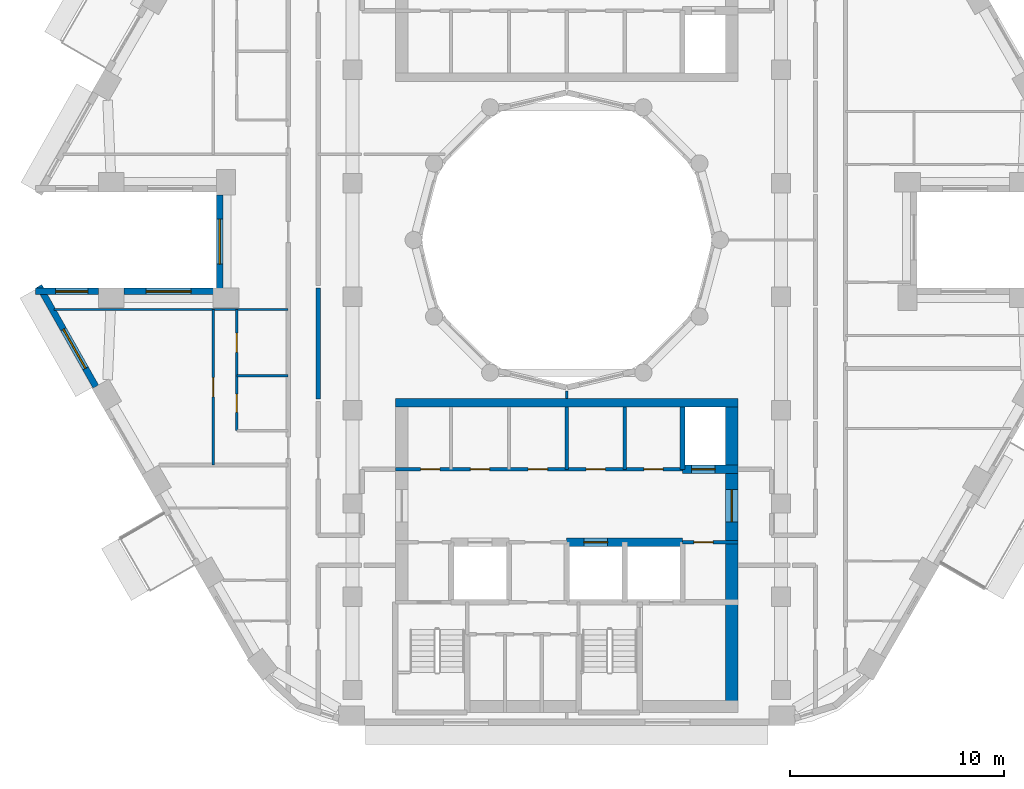
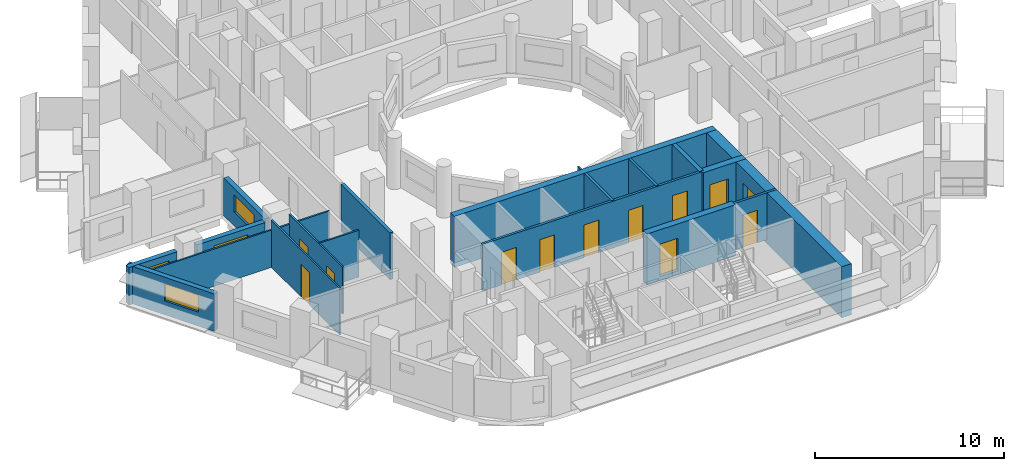
# One storey, part 4 of 17: 19 walls, 12 doors, 4 windows, 16 openings.
"""IFC4 building model written with IfcOpenShell, lengths in metres."""

import ifcopenshell
import ifcopenshell.guid

model = None  # the IFC model being written
_history = None  # IfcOwnerHistory: only IFC2X3 demands one
_inside = {}  # id of a spatial element -> (the spatial element, [elements in it])
_under = {}  # id of a project, library or spatial element -> (it, [spatial elements below it])
_declared = {}  # id of a project -> (the project, [libraries it declares])
_typed = {}  # id of a type object -> (the type object, [elements of that type])
_made_of = {}  # id of a material, layer set ... -> (it, [elements and type objects made of it])


def new_model(schema):
    """Start an empty IFC model of exactly this schema.

    Asked for "IFC4X3", IfcOpenShell would pick the latest addendum, in which some entities
    have other attributes; the version numbers below select the first issue.
    IFC2X3 requires an IfcOwnerHistory on every rooted entity: one is made here for all.
    """
    global model, _history
    if schema == "IFC4X3":
        model = ifcopenshell.file(schema_version=(4, 3, 0, 0))
    else:
        model = ifcopenshell.file(schema=schema)
    _inside.clear()
    _under.clear()
    _declared.clear()
    _typed.clear()
    _made_of.clear()
    _history = None
    if model.schema == "IFC2X3":
        org = make("IfcOrganization", Name="unknown")
        user = make(
            "IfcPersonAndOrganization",
            ThePerson=make("IfcPerson", FamilyName="unknown"),
            TheOrganization=org,
        )
        app = make(
            "IfcApplication",
            ApplicationDeveloper=org,
            Version="unknown",
            ApplicationFullName="unknown",
            ApplicationIdentifier="unknown",
        )
        _history = make(
            "IfcOwnerHistory",
            OwningUser=user,
            OwningApplication=app,
            ChangeAction="ADDED",
            CreationDate=0,
        )
    return model


def make(cls, **values):
    """One entity of the class cls with the attributes given. An attribute that is None is left unset."""
    return model.create_entity(
        cls, **{name: value for name, value in values.items() if value is not None}
    )


def rooted(cls, **values):
    """An entity with a GlobalId (a new one), such as an element, a storey or a relation."""
    return make(cls, GlobalId=ifcopenshell.guid.new(), OwnerHistory=_history, **values)


def si_unit(unit_type, name, prefix=None):
    """IfcSIUnit, for example si_unit("LENGTHUNIT", "METRE", prefix="MILLI")."""
    return make("IfcSIUnit", UnitType=unit_type, Prefix=prefix, Name=name)


def assignment(units):
    """IfcUnitAssignment: the units of a project."""
    return None if units is None else make("IfcUnitAssignment", Units=units)


def point(xyz):
    """IfcCartesianPoint."""
    return None if xyz is None else make("IfcCartesianPoint", Coordinates=xyz)


def direction(xyz):
    """IfcDirection."""
    return None if xyz is None else make("IfcDirection", DirectionRatios=xyz)


def frame(location, z_axis=None, x_axis=None):
    """IfcAxis2Placement3D, a coordinate frame: its origin and axes. An axis left out is left unset."""
    return make(
        "IfcAxis2Placement3D",
        Location=point(location),
        Axis=direction(z_axis),
        RefDirection=direction(x_axis),
    )


def frame_2d(location, x_axis=None):
    """IfcAxis2Placement2D, a coordinate frame in the plane: its origin and x axis."""
    return make(
        "IfcAxis2Placement2D", Location=point(location), RefDirection=direction(x_axis)
    )


def origin():
    """The frame at (0, 0, 0) with its axes left unset."""
    return frame((0.0, 0.0, 0.0))


def place(relative_to, where):
    """IfcLocalPlacement: puts the frame where relative to a parent placement (None: the world)."""
    return make(
        "IfcLocalPlacement", PlacementRelTo=relative_to, RelativePlacement=where
    )


def context(
    kind, dimensions, precision=None, world=None, true_north=None, identifier=None
):
    """IfcGeometricRepresentationContext, for example the 3D "Model" context."""
    return make(
        "IfcGeometricRepresentationContext",
        ContextIdentifier=identifier,
        ContextType=kind,
        CoordinateSpaceDimension=dimensions,
        Precision=precision,
        WorldCoordinateSystem=world,
        TrueNorth=true_north,
    )


def subcontext(parent, identifier, kind, view, scale=None):
    """IfcGeometricRepresentationSubContext, for example "Body" below "Model"."""
    return make(
        "IfcGeometricRepresentationSubContext",
        ContextIdentifier=identifier,
        ContextType=kind,
        ParentContext=parent,
        TargetScale=scale,
        TargetView=view,
    )


def project(units=None, contexts=None):
    """IfcProject with its units and contexts."""
    return rooted(
        "IfcProject",
        Name="project",
        RepresentationContexts=contexts,
        UnitsInContext=assignment(units),
    )


def spatial(cls, under=None, at=None, **own):
    """A site, building, storey or space (cls), placed at a placement, below another one or the project."""
    s = rooted(cls, ObjectPlacement=at, **own)
    if under is not None:
        _under.setdefault(under.id(), (under, []))[1].append(s)
    return s


def profile(cls, at=None, kind="AREA", **sizes):
    """A parametric profile (cls). Its sizes go by their IFC names, for example OverallWidth=200.0."""
    return make(cls, ProfileType=kind, Position=at, **sizes)


def rectangle(**sizes):
    """IfcRectangleProfileDef."""
    return profile("IfcRectangleProfileDef", **sizes)


def extrude(swept, where, along, depth):
    """IfcExtrudedAreaSolid: the profile swept, set in the frame where, extruded along a direction by depth."""
    return make(
        "IfcExtrudedAreaSolid",
        SweptArea=swept,
        Position=where,
        ExtrudedDirection=direction(along),
        Depth=depth,
    )


def shape(context_of_items, identifier, shape_type, items):
    """IfcShapeRepresentation: the items that make up one representation, for example the "Body"."""
    return make(
        "IfcShapeRepresentation",
        ContextOfItems=context_of_items,
        RepresentationIdentifier=identifier,
        RepresentationType=shape_type,
        Items=items,
    )


def material(Name=None, Category=None):
    """IfcMaterial."""
    return make("IfcMaterial", Name=Name, Category=Category)


def layer(
    of_material, thickness, ventilated=None, Name=None, Category=None, Priority=None
):
    """IfcMaterialLayer: one layer of a wall or slab, of a material (None: an air gap)."""
    return make(
        "IfcMaterialLayer",
        Material=of_material,
        LayerThickness=thickness,
        IsVentilated=ventilated,
        Name=Name,
        Category=Category,
        Priority=Priority,
    )


def layer_set(layers, Name=None):
    """IfcMaterialLayerSet."""
    return make("IfcMaterialLayerSet", MaterialLayers=layers, LayerSetName=Name)


def made_of(thing, what):
    """Note that an element or type object is made of a material, layer set ...; save() writes the relation."""
    if what is not None:
        _made_of.setdefault(what.id(), (what, []))[1].append(thing)
    return thing


def type_object(cls, material=None, **own):
    """A type object (cls), such as IfcWallType, which elements share."""
    return made_of(rooted(cls, **own), material)


def element(
    cls,
    number,
    at=None,
    inside=None,
    cuts=None,
    type_object=None,
    material=None,
    context=None,
    identifier="Body",
    shape_type=None,
    held_by="IfcProductDefinitionShape",
    body=None,
    shapes=None,
    **own,
):
    """One element of the class cls, such as IfcWall. Its Tag is "e" and its number.

    at: its placement. inside: the storey or other place that contains it. cuts: it is an
    opening in that element (IfcRelVoidsElement). A single representation is given by context,
    identifier, shape_type and body (its items); several are given by shapes. held_by: the class
    of the entity that holds the representations. save() writes the other relations.
    """
    e = rooted(cls, Tag="e%d" % number, ObjectPlacement=at, **own)
    if body is not None:
        shapes = [shape(context, identifier, shape_type, body)]
    if shapes is not None:
        e.Representation = make(held_by, Representations=shapes)
    if inside is not None:
        _inside.setdefault(inside.id(), (inside, []))[1].append(e)
    if cuts is not None:
        rooted(
            "IfcRelVoidsElement", RelatingBuildingElement=cuts, RelatedOpeningElement=e
        )
    if type_object is not None:
        _typed.setdefault(type_object.id(), (type_object, []))[1].append(e)
    return made_of(e, material)


def fill(opening, filler):
    """IfcRelFillsElement: the door or window that sits in an opening."""
    return rooted(
        "IfcRelFillsElement",
        RelatingOpeningElement=opening,
        RelatedBuildingElement=filler,
    )


def aggregate(whole, parts):
    """IfcRelAggregates: a whole, such as a stair, and the parts it consists of."""
    return rooted("IfcRelAggregates", RelatingObject=whole, RelatedObjects=parts)


def save(model, path):
    """Write the relations noted so far, then the file.

    IfcRelAggregates (storeys below a building ...), IfcRelContainedInSpatialStructure (elements
    in a storey), IfcRelDefinesByType, IfcRelAssociatesMaterial and IfcRelDeclares: one each for
    every whole, place, type object, material and project.
    """
    for whole, parts in _under.values():
        aggregate(whole, parts)
    for where, things in _inside.values():
        rooted(
            "IfcRelContainedInSpatialStructure",
            RelatedElements=things,
            RelatingStructure=where,
        )
    for kind, things in _typed.values():
        rooted("IfcRelDefinesByType", RelatedObjects=things, RelatingType=kind)
    for what, things in _made_of.values():
        rooted("IfcRelAssociatesMaterial", RelatedObjects=things, RelatingMaterial=what)
    for by, libraries in _declared.values():
        rooted("IfcRelDeclares", RelatingContext=by, RelatedDefinitions=libraries)
    model.write(path)


model = new_model("IFC4")

# Units and contexts
model_context = context("Model", 3, precision=1e-05, world=origin(), true_north=direction((0.0, 1.0)))
body_context = subcontext(model_context, "Body", "Model", "MODEL_VIEW")
ifc_project = project(units=[si_unit("LENGTHUNIT", "METRE"), si_unit("AREAUNIT", "SQUARE_METRE"), si_unit("VOLUMEUNIT", "CUBIC_METRE"), si_unit("PLANEANGLEUNIT", "RADIAN"), si_unit("MASSUNIT", "GRAM", prefix="KILO")], contexts=[model_context])

# Site, building, storey
site_placement = place(None, origin())
site = spatial("IfcSite", under=ifc_project, at=site_placement, CompositionType="ELEMENT")
building_placement = place(site_placement, origin())
building = spatial("IfcBuilding", under=site, at=building_placement, Name="Nakaniwa Court", CompositionType="ELEMENT")
storey_placement = place(building_placement, frame((0.0, 0.0, 206.39990234375)))
storey = spatial("IfcBuildingStorey", under=building, at=storey_placement, Name="L54", CompositionType="ELEMENT", Elevation=206.39990234375)

# Wall
ifc_material_1 = material(Name="Acoustic double stud partition")
ifc_layer_1 = layer(ifc_material_1, 0.199951171875)
ifc_layer_set_1 = layer_set([ifc_layer_1], Name="Acoustic double stud partition")
wall_type_1 = type_object("IfcWallType", Name="Acoustic double stud partition 200", PredefinedType="PARTITIONING", material=ifc_layer_set_1)
wall_1_placement = place(storey_placement, frame((68.39990234375, 72.5771484375, 0.0), z_axis=(0.0, 0.0, 1.0), x_axis=(0.0, 1.0, 0.0)))
element("IfcWall", 1, at=wall_1_placement, inside=storey, type_object=wall_type_1, Name="Partition PW-103", PredefinedType="PARTITIONING", context=body_context, shape_type="SweptSolid", body=[
    extrude(rectangle(XDim=5.185546875, YDim=0.199951171875, at=frame_2d((2.5927734375, 0.0))), origin(), (0.0, 0.0, 1.0), 3.025146484375),
])

# Wall, opening, window
ifc_material_2 = material(Name="Charcoal ceramic cladding")
ifc_layer_2 = layer(ifc_material_2, 0.02, Name="Ceramic cladding")
ifc_material_3 = material(Name="Ventilated air cavity")
ifc_layer_3 = layer(ifc_material_3, 0.04, ventilated=True, Name="Ventilated cavity")
ifc_material_4 = material(Name="Mineral wool insulation")
ifc_layer_4 = layer(ifc_material_4, 0.1, Name="Insulation")
ifc_material_5 = material(Name="Cement bonded sheathing board")
ifc_layer_5 = layer(ifc_material_5, 0.012, Name="Sheathing")
ifc_material_6 = material(Name="Cold-formed galvanised stud frame with mineral wool infill")
ifc_layer_6 = layer(ifc_material_6, 0.1, Name="Stud frame")
ifc_material_7 = material(Name="Fire-rated gypsum plasterboard lining")
ifc_layer_7 = layer(ifc_material_7, 0.028, Name="Lining")
ifc_layer_set_2 = layer_set([ifc_layer_2, ifc_layer_3, ifc_layer_4, ifc_layer_5, ifc_layer_6, ifc_layer_7], Name="Charcoal ceramic faced external wall system")
wall_type_2 = type_object("IfcWallType", Name="Black ceramic faced external wall 300", PredefinedType="SOLIDWALL", material=ifc_layer_set_2)
wall_2_placement = place(storey_placement, frame((63.800537109375, 82.10400390625, 0.0), z_axis=(0.0, 0.0, 1.0), x_axis=(0.0, -1.0, 0.0)))
wall_2 = element("IfcWall", 2, at=wall_2_placement, inside=storey, type_object=wall_type_2, Name="L54 external wall 17", PredefinedType="SOLIDWALL", context=body_context, shape_type="SweptSolid", body=[
    extrude(rectangle(XDim=4.35791015625, YDim=0.300048828125, at=frame_2d((2.178955078125, 0.0))), origin(), (0.0, 0.0, 1.0), 2.425048828125),
])
opening_1_placement = place(wall_2_placement, frame((1.12890625, 0.0, 0.89990234375)))
opening_1 = element("IfcOpeningElement", 3, at=opening_1_placement, cuts=wall_2, Name="Opening W7.19", PredefinedType="OPENING", context=body_context, shape_type="SweptSolid", body=[
    extrude(rectangle(XDim=2.10009765625, YDim=1.10009765625, at=frame_2d((1.050048828125, 0.550048828125))), frame((0.0, 0.159912109375, 0.0), z_axis=(0.0, -1.0, 0.0), x_axis=(1.0, 0.0, 0.0)), (0.0, 0.0, 1.0), 0.320068359375),
])
ifc_material_8 = material(Name="Black anodised aluminium frame with dark low-E laminated double glazing", Category="aluminium")
window_type_1 = type_object("IfcWindowType", Name="Dark glass window 2100x1100 sill 900", PartitioningType="SINGLE_PANEL", PredefinedType="WINDOW", material=ifc_material_8)
window_1_placement = place(opening_1_placement, origin())
window_1 = element("IfcWindow", 4, at=window_1_placement, inside=storey, type_object=window_type_1, Name="L54 habitable room window 17-0", OverallHeight=1.10009765625, OverallWidth=2.10009765625, PartitioningType="SINGLE_PANEL", PredefinedType="WINDOW", context=body_context, shape_type="SweptSolid", body=[
    extrude(rectangle(XDim=2.10009765625, YDim=1.10009765625, at=frame_2d((1.050048828125, 0.550048828125))), frame((0.0, 0.030029296875, 0.0), z_axis=(0.0, -1.0, 0.0), x_axis=(1.0, 0.0, 0.0)), (0.0, 0.0, 1.0), 0.06005859375),
])
fill(opening_1, window_1)

wall_3_placement = place(storey_placement, frame((63.50439453125, 77.60009765625, 0.0), z_axis=(0.0, 0.0, 1.0), x_axis=(-1.0, 0.0, 0.0)))
wall_3 = element("IfcWall", 5, at=wall_3_placement, inside=storey, type_object=wall_type_2, Name="L54 external wall 18", PredefinedType="SOLIDWALL", context=body_context, shape_type="SweptSolid", body=[
    extrude(rectangle(XDim=4.17236328125, YDim=0.300048828125, at=frame_2d((2.086181640625, 0.0))), origin(), (0.0, 0.0, 1.0), 2.425048828125),
])
opening_2_placement = place(wall_3_placement, frame((1.036376953125, 0.0, 0.89990234375)))
opening_2 = element("IfcOpeningElement", 6, at=opening_2_placement, cuts=wall_3, Name="Opening W7.20", PredefinedType="OPENING", context=body_context, shape_type="SweptSolid", body=[
    extrude(rectangle(XDim=2.10009765625, YDim=1.10009765625, at=frame_2d((1.050048828125, 0.550048828125))), frame((0.0, 0.159912109375, 0.0), z_axis=(0.0, -1.0, 0.0), x_axis=(1.0, 0.0, 0.0)), (0.0, 0.0, 1.0), 0.320068359375),
])
window_2_placement = place(opening_2_placement, origin())
window_2 = element("IfcWindow", 7, at=window_2_placement, inside=storey, type_object=window_type_1, Name="L54 habitable room window 18-0", OverallHeight=1.10009765625, OverallWidth=2.10009765625, PartitioningType="SINGLE_PANEL", PredefinedType="WINDOW", context=body_context, shape_type="SweptSolid", body=[
    extrude(rectangle(XDim=2.10009765625, YDim=1.10009765625, at=frame_2d((1.050048828125, 0.550048828125))), frame((0.0, 0.030029296875, 0.0), z_axis=(0.0, -1.0, 0.0), x_axis=(1.0, 0.0, 0.0)), (0.0, 0.0, 1.0), 0.06005859375),
])
fill(opening_2, window_2)

wall_4_placement = place(storey_placement, frame((58.139892578125, 77.60009765625, 0.0), z_axis=(0.0, 0.0, 1.0), x_axis=(-1.0, 0.0, 0.0)))
wall_4 = element("IfcWall", 8, at=wall_4_placement, inside=storey, type_object=wall_type_2, Name="L54 external wall 19", PredefinedType="SOLIDWALL", context=body_context, shape_type="SweptSolid", body=[
    extrude(rectangle(XDim=2.937744140625, YDim=0.300048828125, at=frame_2d((1.46875, 0.0))), origin(), (0.0, 0.0, 1.0), 2.425048828125),
])
opening_3_placement = place(wall_4_placement, frame((0.493896484375, 0.0, 0.89990234375)))
opening_3 = element("IfcOpeningElement", 9, at=opening_3_placement, cuts=wall_4, Name="Opening W5.21", PredefinedType="OPENING", context=body_context, shape_type="SweptSolid", body=[
    extrude(rectangle(XDim=1.5, YDim=1.10009765625, at=frame_2d((0.75, 0.550048828125))), frame((0.0, 0.159912109375, 0.0), z_axis=(0.0, -1.0, 0.0), x_axis=(1.0, 0.0, 0.0)), (0.0, 0.0, 1.0), 0.320068359375),
])
window_type_2 = type_object("IfcWindowType", Name="Dark glass window 1500x1100 sill 900", PartitioningType="SINGLE_PANEL", PredefinedType="WINDOW", material=ifc_material_8)
window_3_placement = place(opening_3_placement, origin())
window_3 = element("IfcWindow", 10, at=window_3_placement, inside=storey, type_object=window_type_2, Name="L54 habitable room window 19-0", OverallHeight=1.10009765625, OverallWidth=1.5, PartitioningType="SINGLE_PANEL", PredefinedType="WINDOW", context=body_context, shape_type="SweptSolid", body=[
    extrude(rectangle(XDim=1.5, YDim=1.10009765625, at=frame_2d((0.75, 0.550048828125))), frame((0.0, 0.030029296875, 0.0), z_axis=(0.0, -1.0, 0.0), x_axis=(1.0, 0.0, 0.0)), (0.0, 0.0, 1.0), 0.06005859375),
])
fill(opening_3, window_3)

wall_5_placement = place(storey_placement, frame((55.372802734375, 77.846435546875, 0.0), z_axis=(0.0, 0.0, 1.0), x_axis=(0.492033360928, -0.870576344575, 0.0)))
wall_5 = element("IfcWall", 11, at=wall_5_placement, inside=storey, type_object=wall_type_2, Name="L54 external wall 20", PredefinedType="SOLIDWALL", context=body_context, shape_type="SweptSolid", body=[
    extrude(rectangle(XDim=5.38671875, YDim=0.300048828125, at=frame_2d((2.693359375, 0.0))), origin(), (0.0, 0.0, 1.0), 2.425048828125),
])
opening_4_placement = place(wall_5_placement, frame((2.308349609375, 0.0, 0.89990234375)))
opening_4 = element("IfcOpeningElement", 12, at=opening_4_placement, cuts=wall_5, Name="Opening W7.22", PredefinedType="OPENING", context=body_context, shape_type="SweptSolid", body=[
    extrude(rectangle(XDim=2.10009765625, YDim=1.10009765625, at=frame_2d((1.050048828125, 0.550048828125))), frame((0.0, 0.159912109375, 0.0), z_axis=(0.0, -1.0, 0.0), x_axis=(1.0, 0.0, 0.0)), (0.0, 0.0, 1.0), 0.320068359375),
])
window_4_placement = place(opening_4_placement, origin())
window_4 = element("IfcWindow", 13, at=window_4_placement, inside=storey, type_object=window_type_1, Name="L54 living window 20-1", OverallHeight=1.10009765625, OverallWidth=2.10009765625, PartitioningType="SINGLE_PANEL", PredefinedType="WINDOW", context=body_context, shape_type="SweptSolid", body=[
    extrude(rectangle(XDim=2.10009765625, YDim=1.10009765625, at=frame_2d((1.050048828125, 0.550048828125))), frame((0.0, 0.030029296875, 0.0), z_axis=(0.0, -1.0, 0.0), x_axis=(1.0, 0.0, 0.0)), (0.0, 0.0, 1.0), 0.06005859375),
])
fill(opening_4, window_4)

# Wall, openings, doors
ifc_material_9 = material(Name="Blockwork partition", Category="masonry")
ifc_layer_8 = layer(ifc_material_9, 0.14990234375)
ifc_layer_set_3 = layer_set([ifc_layer_8], Name="Blockwork partition")
wall_type_3 = type_object("IfcWallType", Name="Blockwork partition 150", PredefinedType="PARTITIONING", material=ifc_layer_set_3)
wall_6_placement = place(storey_placement, frame((72.0, 69.300048828125, 0.0), z_axis=(0.0, 0.0, 1.0), x_axis=(1.0, 0.0, 0.0)))
wall_6 = element("IfcWall", 14, at=wall_6_placement, inside=storey, type_object=wall_type_3, Name="Partition PW-038", PredefinedType="PARTITIONING", context=body_context, shape_type="SweptSolid", body=[
    extrude(rectangle(XDim=13.39990234375, YDim=0.14990234375, at=frame_2d((6.699951171875, 0.0))), origin(), (0.0, 0.0, 1.0), 3.025146484375),
])
opening_5_placement = place(wall_6_placement, frame((1.175048828125, 0.0, 0.0)))
opening_5 = element("IfcOpeningElement", 15, at=opening_5_placement, cuts=wall_6, Name="Opening D-05-10", PredefinedType="OPENING", context=body_context, shape_type="SweptSolid", body=[
    extrude(rectangle(XDim=0.89990234375, YDim=2.10009765625, at=frame_2d((0.449951171875, 1.050048828125))), frame((0.0, 0.0849609375, 0.0), z_axis=(0.0, -1.0, 0.0), x_axis=(1.0, 0.0, 0.0)), (0.0, 0.0, 1.0), 0.169921875),
])
opening_6_placement = place(wall_6_placement, frame((3.5, 0.0, 0.0)))
opening_6 = element("IfcOpeningElement", 16, at=opening_6_placement, cuts=wall_6, Name="Opening D-05-11", PredefinedType="OPENING", context=body_context, shape_type="SweptSolid", body=[
    extrude(rectangle(XDim=0.89990234375, YDim=2.10009765625, at=frame_2d((0.449951171875, 1.050048828125))), frame((0.0, 0.0849609375, 0.0), z_axis=(0.0, -1.0, 0.0), x_axis=(1.0, 0.0, 0.0)), (0.0, 0.0, 1.0), 0.169921875),
])
opening_7_placement = place(wall_6_placement, frame((6.199951171875, 0.0, 0.0)))
opening_7 = element("IfcOpeningElement", 17, at=opening_7_placement, cuts=wall_6, Name="Opening D-05-12", PredefinedType="OPENING", context=body_context, shape_type="SweptSolid", body=[
    extrude(rectangle(XDim=0.89990234375, YDim=2.10009765625, at=frame_2d((0.449951171875, 1.050048828125))), frame((0.0, 0.0849609375, 0.0), z_axis=(0.0, -1.0, 0.0), x_axis=(1.0, 0.0, 0.0)), (0.0, 0.0, 1.0), 0.169921875),
])
opening_8_placement = place(wall_6_placement, frame((8.89990234375, 0.0, 0.0)))
opening_8 = element("IfcOpeningElement", 18, at=opening_8_placement, cuts=wall_6, Name="Opening D-05-13", PredefinedType="OPENING", context=body_context, shape_type="SweptSolid", body=[
    extrude(rectangle(XDim=0.89990234375, YDim=2.10009765625, at=frame_2d((0.449951171875, 1.050048828125))), frame((0.0, 0.0849609375, 0.0), z_axis=(0.0, -1.0, 0.0), x_axis=(1.0, 0.0, 0.0)), (0.0, 0.0, 1.0), 0.169921875),
])
opening_9_placement = place(wall_6_placement, frame((11.60009765625, 0.0, 0.0)))
opening_9 = element("IfcOpeningElement", 19, at=opening_9_placement, cuts=wall_6, Name="Opening D-05-14", PredefinedType="OPENING", context=body_context, shape_type="SweptSolid", body=[
    extrude(rectangle(XDim=0.89990234375, YDim=2.10009765625, at=frame_2d((0.449951171875, 1.050048828125))), frame((0.0, 0.0849609375, 0.0), z_axis=(0.0, -1.0, 0.0), x_axis=(1.0, 0.0, 0.0)), (0.0, 0.0, 1.0), 0.169921875),
])
ifc_material_10 = material(Name="Fire rated steel door set", Category="steel")
door_type_1 = type_object("IfcDoorType", Name="Service room door 900", OperationType="NOTDEFINED", PredefinedType="DOOR", material=ifc_material_10)
door_1_placement = place(opening_5_placement, origin())
door_1 = element("IfcDoor", 20, at=door_1_placement, inside=storey, type_object=door_type_1, Name="Door D-05-10 L54-015", OperationType="SINGLE_SWING_RIGHT", OverallHeight=2.10009765625, OverallWidth=0.89990234375, PredefinedType="DOOR", context=body_context, shape_type="SweptSolid", body=[
    extrude(rectangle(XDim=0.89990234375, YDim=2.10009765625, at=frame_2d((0.449951171875, 1.050048828125))), frame((0.0, 0.02490234375, 0.0), z_axis=(0.0, -1.0, 0.0), x_axis=(1.0, 0.0, 0.0)), (0.0, 0.0, 1.0), 0.050048828125),
])
fill(opening_5, door_1)
door_2_placement = place(opening_6_placement, origin())
door_2 = element("IfcDoor", 21, at=door_2_placement, inside=storey, type_object=door_type_1, Name="Door D-05-11 L54-016", OperationType="SINGLE_SWING_LEFT", OverallHeight=2.10009765625, OverallWidth=0.89990234375, PredefinedType="DOOR", context=body_context, shape_type="SweptSolid", body=[
    extrude(rectangle(XDim=0.89990234375, YDim=2.10009765625, at=frame_2d((0.449951171875, 1.050048828125))), frame((0.0, 0.02490234375, 0.0), z_axis=(0.0, -1.0, 0.0), x_axis=(1.0, 0.0, 0.0)), (0.0, 0.0, 1.0), 0.050048828125),
])
fill(opening_6, door_2)
door_3_placement = place(opening_7_placement, origin())
door_3 = element("IfcDoor", 22, at=door_3_placement, inside=storey, type_object=door_type_1, Name="Door D-05-12 L54-017", OperationType="SINGLE_SWING_RIGHT", OverallHeight=2.10009765625, OverallWidth=0.89990234375, PredefinedType="DOOR", context=body_context, shape_type="SweptSolid", body=[
    extrude(rectangle(XDim=0.89990234375, YDim=2.10009765625, at=frame_2d((0.449951171875, 1.050048828125))), frame((0.0, 0.02490234375, 0.0), z_axis=(0.0, -1.0, 0.0), x_axis=(1.0, 0.0, 0.0)), (0.0, 0.0, 1.0), 0.050048828125),
])
fill(opening_7, door_3)
door_4_placement = place(opening_8_placement, origin())
door_4 = element("IfcDoor", 23, at=door_4_placement, inside=storey, type_object=door_type_1, Name="Door D-05-13 L54-018", OperationType="SINGLE_SWING_LEFT", OverallHeight=2.10009765625, OverallWidth=0.89990234375, PredefinedType="DOOR", context=body_context, shape_type="SweptSolid", body=[
    extrude(rectangle(XDim=0.89990234375, YDim=2.10009765625, at=frame_2d((0.449951171875, 1.050048828125))), frame((0.0, 0.02490234375, 0.0), z_axis=(0.0, -1.0, 0.0), x_axis=(1.0, 0.0, 0.0)), (0.0, 0.0, 1.0), 0.050048828125),
])
fill(opening_8, door_4)
door_5_placement = place(opening_9_placement, origin())
door_5 = element("IfcDoor", 24, at=door_5_placement, inside=storey, type_object=door_type_1, Name="Door D-05-14 L54-019", OperationType="SINGLE_SWING_RIGHT", OverallHeight=2.10009765625, OverallWidth=0.89990234375, PredefinedType="DOOR", context=body_context, shape_type="SweptSolid", body=[
    extrude(rectangle(XDim=0.89990234375, YDim=2.10009765625, at=frame_2d((0.449951171875, 1.050048828125))), frame((0.0, 0.02490234375, 0.0), z_axis=(0.0, -1.0, 0.0), x_axis=(1.0, 0.0, 0.0)), (0.0, 0.0, 1.0), 0.050048828125),
])
fill(opening_9, door_5)

# Walls
for number, where, z_axis, x_axis, name in (
    (25, (80.0, 69.300048828125, 0.0), (0.0, 0.0, 1.0), (0.0, 1.0, 0.0), "Partition PW-045"),
    (26, (82.699951171875, 69.300048828125, 0.0), (0.0, 0.0, 1.0), (0.0, 1.0, 0.0), "Partition PW-046"),
):
    element("IfcWall", number, at=place(storey_placement, frame(where, z_axis=z_axis, x_axis=x_axis)), inside=storey, type_object=wall_type_3, Name=name, PredefinedType="PARTITIONING", context=body_context, shape_type="SweptSolid", body=[
        extrude(rectangle(XDim=2.89990234375, YDim=0.14990234375, at=frame_2d((1.449951171875, 0.0))), origin(), (0.0, 0.0, 1.0), 3.025146484375),
    ])

# Wall, opening, door
wall_7_placement = place(storey_placement, frame((88.0, 65.89990234375, 0.0), z_axis=(0.0, 0.0, 1.0), x_axis=(-1.0, 0.0, 0.0)))
wall_7 = element("IfcWall", 27, at=wall_7_placement, inside=storey, type_object=wall_type_3, Name="Partition PW-049", PredefinedType="PARTITIONING", context=body_context, shape_type="SweptSolid", body=[
    extrude(rectangle(XDim=2.60302734375, YDim=0.14990234375, at=frame_2d((1.301513671875, 0.0))), origin(), (0.0, 0.0, 1.0), 3.025146484375),
])
opening_10_placement = place(wall_7_placement, frame((1.175048828125, 0.0, 0.0)))
opening_10 = element("IfcOpeningElement", 28, at=opening_10_placement, cuts=wall_7, Name="Opening D-05-15", PredefinedType="OPENING", context=body_context, shape_type="SweptSolid", body=[
    extrude(rectangle(XDim=0.89990234375, YDim=2.10009765625, at=frame_2d((0.449951171875, 1.050048828125))), frame((0.0, 0.0849609375, 0.0), z_axis=(0.0, -1.0, 0.0), x_axis=(1.0, 0.0, 0.0)), (0.0, 0.0, 1.0), 0.169921875),
])
door_6_placement = place(opening_10_placement, origin())
door_6 = element("IfcDoor", 29, at=door_6_placement, inside=storey, type_object=door_type_1, Name="Door D-05-15 L54-022", OperationType="SINGLE_SWING_LEFT", OverallHeight=2.10009765625, OverallWidth=0.89990234375, PredefinedType="DOOR", context=body_context, shape_type="SweptSolid", body=[
    extrude(rectangle(XDim=0.89990234375, YDim=2.10009765625, at=frame_2d((0.449951171875, 1.050048828125))), frame((0.0, 0.02490234375, 0.0), z_axis=(0.0, -1.0, 0.0), x_axis=(1.0, 0.0, 0.0)), (0.0, 0.0, 1.0), 0.050048828125),
])
fill(opening_10, door_6)

ifc_material_11 = material(Name="Concrete C80/100", Category="concrete")
ifc_layer_9 = layer(ifc_material_11, 0.60009765625)
ifc_layer_set_4 = layer_set([ifc_layer_9], Name="Concrete C80/100")
wall_type_4 = type_object("IfcWallType", Name="Concrete core side wall 600 C80", PredefinedType="SHEAR", material=ifc_layer_set_4)
wall_8_placement = place(storey_placement, frame((87.699951171875, 72.199951171875, -0.27490234375), z_axis=(0.0, 0.0, 1.0), x_axis=(0.0, -1.0, 0.0)))
wall_8 = element("IfcWall", 30, at=wall_8_placement, inside=storey, type_object=wall_type_4, Name="Core wall SW-43", PredefinedType="SHEAR", context=body_context, shape_type="SweptSolid", body=[
    extrude(rectangle(XDim=14.25, YDim=0.60009765625, at=frame_2d((7.125, 0.0))), origin(), (0.0, 0.0, 1.0), 3.300048828125),
])
opening_11_placement = place(wall_8_placement, frame((3.85205078125, 0.0, 0.27490234375)))
opening_11 = element("IfcOpeningElement", 31, at=opening_11_placement, cuts=wall_8, Name="Opening D-07-03", PredefinedType="OPENING", context=body_context, shape_type="SweptSolid", body=[
    extrude(rectangle(XDim=1.5, YDim=2.10009765625, at=frame_2d((0.75, 1.050048828125))), frame((0.0, 0.31005859375, 0.0), z_axis=(0.0, -1.0, 0.0), x_axis=(1.0, 0.0, 0.0)), (0.0, 0.0, 1.0), 0.6201171875),
])
ifc_material_12 = material(Name="Glazed fire rated steel double door set", Category="steel")
door_type_2 = type_object("IfcDoorType", Name="Lobby double door 1500", OperationType="NOTDEFINED", PredefinedType="DOOR", material=ifc_material_12)
door_7_placement = place(opening_11_placement, origin())
door_7 = element("IfcDoor", 32, at=door_7_placement, inside=storey, type_object=door_type_2, Name="Door D-07-03 L54-063", OperationType="DOUBLE_DOOR_SINGLE_SWING", OverallHeight=2.10009765625, OverallWidth=1.5, PredefinedType="DOOR", context=body_context, shape_type="SweptSolid", body=[
    extrude(rectangle(XDim=1.5, YDim=2.10009765625, at=frame_2d((0.75, 1.050048828125))), frame((0.0, 0.02490234375, 0.0), z_axis=(0.0, -1.0, 0.0), x_axis=(1.0, 0.0, 0.0)), (0.0, 0.0, 1.0), 0.050048828125),
])
fill(opening_11, door_7)

ifc_layer_10 = layer(ifc_material_11, 0.39990234375)
ifc_layer_set_5 = layer_set([ifc_layer_10], Name="Concrete C80/100")
wall_type_5 = type_object("IfcWallType", Name="Concrete core spine wall 400 C80", PredefinedType="SHEAR", material=ifc_layer_set_5)
wall_9_placement = place(storey_placement, frame((85.39990234375, 69.300048828125, -0.27490234375), z_axis=(0.0, 0.0, 1.0), x_axis=(1.0, 0.0, 0.0)))
wall_9 = element("IfcWall", 33, at=wall_9_placement, inside=storey, type_object=wall_type_5, Name="Core wall SW-42", PredefinedType="SHEAR", context=body_context, shape_type="SweptSolid", body=[
    extrude(rectangle(XDim=2.60009765625, YDim=0.39990234375, at=frame_2d((1.300048828125, 0.0))), origin(), (0.0, 0.0, 1.0), 3.300048828125),
])
opening_12_placement = place(wall_9_placement, frame((0.425048828125, 0.0, 0.27490234375)))
opening_12 = element("IfcOpeningElement", 34, at=opening_12_placement, cuts=wall_9, Name="Opening LD05", PredefinedType="OPENING", context=body_context, shape_type="SweptSolid", body=[
    extrude(rectangle(XDim=1.10009765625, YDim=2.10009765625, at=frame_2d((0.550048828125, 1.050048828125))), frame((0.0, 0.2099609375, 0.0), z_axis=(0.0, -1.0, 0.0), x_axis=(1.0, 0.0, 0.0)), (0.0, 0.0, 1.0), 0.419921875),
])
ifc_material_13 = material(Name="Stainless steel sliding lift landing door", Category="steel")
door_type_3 = type_object("IfcDoorType", Name="Lift landing door 1100", OperationType="NOTDEFINED", PredefinedType="DOOR", material=ifc_material_13)
door_8_placement = place(opening_12_placement, origin())
door_8 = element("IfcDoor", 35, at=door_8_placement, inside=storey, type_object=door_type_3, Name="Lift landing door LD05 L54-005", OperationType="SLIDING_TO_LEFT", OverallHeight=2.10009765625, OverallWidth=1.10009765625, PredefinedType="DOOR", context=body_context, shape_type="SweptSolid", body=[
    extrude(rectangle(XDim=1.10009765625, YDim=2.10009765625, at=frame_2d((0.550048828125, 1.050048828125))), frame((0.0, 0.02490234375, 0.0), z_axis=(0.0, -1.0, 0.0), x_axis=(1.0, 0.0, 0.0)), (0.0, 0.0, 1.0), 0.050048828125),
])
fill(opening_12, door_8)

wall_10_placement = place(storey_placement, frame((79.9970703125, 65.89990234375, -0.27490234375), z_axis=(0.0, 0.0, 1.0), x_axis=(1.0, 0.0, 0.0)))
wall_10 = element("IfcWall", 36, at=wall_10_placement, inside=storey, type_object=wall_type_5, Name="Core wall SW-51", PredefinedType="SHEAR", context=body_context, shape_type="SweptSolid", body=[
    extrude(rectangle(XDim=5.406005859375, YDim=0.39990234375, at=frame_2d((2.703125, 0.0))), origin(), (0.0, 0.0, 1.0), 3.300048828125),
])
opening_13_placement = place(wall_10_placement, frame((0.802978515625, 0.0, 0.27490234375)))
opening_13 = element("IfcOpeningElement", 37, at=opening_13_placement, cuts=wall_10, Name="Opening LD07", PredefinedType="OPENING", context=body_context, shape_type="SweptSolid", body=[
    extrude(rectangle(XDim=1.10009765625, YDim=2.10009765625, at=frame_2d((0.550048828125, 1.050048828125))), frame((0.0, 0.2099609375, 0.0), z_axis=(0.0, -1.0, 0.0), x_axis=(1.0, 0.0, 0.0)), (0.0, 0.0, 1.0), 0.419921875),
])
door_9_placement = place(opening_13_placement, origin())
door_9 = element("IfcDoor", 38, at=door_9_placement, inside=storey, type_object=door_type_3, Name="Lift landing door LD07 L54-007", OperationType="SLIDING_TO_LEFT", OverallHeight=2.10009765625, OverallWidth=1.10009765625, PredefinedType="DOOR", context=body_context, shape_type="SweptSolid", body=[
    extrude(rectangle(XDim=1.10009765625, YDim=2.10009765625, at=frame_2d((0.550048828125, 1.050048828125))), frame((0.0, 0.02490234375, 0.0), z_axis=(0.0, -1.0, 0.0), x_axis=(1.0, 0.0, 0.0)), (0.0, 0.0, 1.0), 0.050048828125),
])
fill(opening_13, door_9)

# Walls
ifc_layer_11 = layer(ifc_material_11, 0.39990234375)
ifc_layer_set_6 = layer_set([ifc_layer_11], Name="Concrete C80/100")
wall_type_6 = type_object("IfcWallType", Name="Concrete core well wall 400 C80", PredefinedType="SHEAR", material=ifc_layer_set_6)
wall_11_placement = place(storey_placement, frame((72.00390625, 72.39990234375, -0.27490234375), z_axis=(0.0, 0.0, 1.0), x_axis=(1.0, 0.0, 0.0)))
element("IfcWall", 39, at=wall_11_placement, inside=storey, type_object=wall_type_6, Name="Core wall SW-144", PredefinedType="SHEAR", context=body_context, shape_type="SweptSolid", body=[
    extrude(rectangle(XDim=15.9921875, YDim=0.39990234375, at=frame_2d((7.99609375, 0.0))), origin(), (0.0, 0.0, 1.0), 3.300048828125),
])
ifc_layer_12 = layer(ifc_material_11, 0.25)
ifc_layer_set_7 = layer_set([ifc_layer_12], Name="Concrete C80/100")
wall_type_7 = type_object("IfcWallType", Name="Concrete shaft wall 250 C80", PredefinedType="SHEAR", material=ifc_layer_set_7)
wall_12_placement = place(storey_placement, frame((85.39990234375, 69.300048828125, -0.27490234375), z_axis=(0.0, 0.0, 1.0), x_axis=(0.0, 1.0, 0.0)))
element("IfcWall", 40, at=wall_12_placement, inside=storey, type_object=wall_type_7, Name="Core wall SW-41", PredefinedType="SHEAR", context=body_context, shape_type="SweptSolid", body=[
    extrude(rectangle(XDim=2.89990234375, YDim=0.25, at=frame_2d((1.449951171875, 0.0))), origin(), (0.0, 0.0, 1.0), 3.300048828125),
])
ifc_material_14 = material(Name="Single stud plasterboard partition")
ifc_layer_13 = layer(ifc_material_14, 0.10009765625)
ifc_layer_set_8 = layer_set([ifc_layer_13], Name="Single stud plasterboard partition")
wall_type_8 = type_object("IfcWallType", Name="Single stud plasterboard partition 100", PredefinedType="PARTITIONING", material=ifc_layer_set_8)
wall_13_placement = place(storey_placement, frame((80.0, 72.60009765625, 0.0), z_axis=(0.0, 0.0, 1.0), x_axis=(0.0, 1.0, 0.0)))
element("IfcWall", 41, at=wall_13_placement, inside=storey, type_object=wall_type_8, Name="Partition PW-113", PredefinedType="PARTITIONING", context=body_context, shape_type="SweptSolid", body=[
    extrude(rectangle(XDim=0.351806640625, YDim=0.10009765625, at=frame_2d((0.17578125, 0.0))), origin(), (0.0, 0.0, 1.0), 3.025146484375),
])
wall_14_placement = place(storey_placement, frame((64.59912109375, 73.66796875, 0.0), z_axis=(0.0, 0.0, 1.0), x_axis=(1.0, 0.0, 0.0)))
element("IfcWall", 42, at=wall_14_placement, inside=storey, type_object=wall_type_8, Name="Partition PW-130", PredefinedType="PARTITIONING", context=body_context, shape_type="SweptSolid", body=[
    extrude(rectangle(XDim=2.39990234375, YDim=0.10009765625, at=frame_2d((1.199951171875, 0.0))), origin(), (0.0, 0.0, 1.0), 3.025146484375),
])

# Wall, openings, doors
wall_15_placement = place(storey_placement, frame((64.59912109375, 76.75, 0.0), z_axis=(0.0, 0.0, 1.0), x_axis=(0.0, -1.0, 0.0)))
wall_15 = element("IfcWall", 43, at=wall_15_placement, inside=storey, type_object=wall_type_8, Name="Partition PW-131", PredefinedType="PARTITIONING", context=body_context, shape_type="SweptSolid", body=[
    extrude(rectangle(XDim=5.64990234375, YDim=0.10009765625, at=frame_2d((2.824951171875, 0.0))), origin(), (0.0, 0.0, 1.0), 3.025146484375),
])
opening_14_placement = place(wall_15_placement, frame((3.94091796875, 0.0, 0.0)))
opening_14 = element("IfcOpeningElement", 44, at=opening_14_placement, cuts=wall_15, Name="Opening D-03-04", PredefinedType="OPENING", context=body_context, shape_type="SweptSolid", body=[
    extrude(rectangle(XDim=0.85009765625, YDim=2.10009765625, at=frame_2d((0.425048828125, 1.050048828125))), frame((0.0, 0.06005859375, 0.0), z_axis=(0.0, -1.0, 0.0), x_axis=(1.0, 0.0, 0.0)), (0.0, 0.0, 1.0), 0.1201171875),
])
opening_15_placement = place(wall_15_placement, frame((1.091064453125, 0.0, 0.0)))
opening_15 = element("IfcOpeningElement", 45, at=opening_15_placement, cuts=wall_15, Name="Opening D-33-08", PredefinedType="OPENING", context=body_context, shape_type="SweptSolid", body=[
    extrude(rectangle(XDim=0.89990234375, YDim=2.10009765625, at=frame_2d((0.449951171875, 1.050048828125))), frame((0.0, 0.06005859375, 0.0), z_axis=(0.0, -1.0, 0.0), x_axis=(1.0, 0.0, 0.0)), (0.0, 0.0, 1.0), 0.1201171875),
])
ifc_material_15 = material(Name="Moisture sealed timber door set", Category="wood")
door_type_4 = type_object("IfcDoorType", Name="Bathroom door 850", OperationType="NOTDEFINED", PredefinedType="DOOR", material=ifc_material_15)
door_10_placement = place(opening_14_placement, origin())
door_10 = element("IfcDoor", 46, at=door_10_placement, inside=storey, type_object=door_type_4, Name="Door D-03-04 L54-047", OperationType="SINGLE_SWING_RIGHT", OverallHeight=2.10009765625, OverallWidth=0.85009765625, PredefinedType="DOOR", context=body_context, shape_type="SweptSolid", body=[
    extrude(rectangle(XDim=0.85009765625, YDim=2.10009765625, at=frame_2d((0.425048828125, 1.050048828125))), frame((0.0, 0.02490234375, 0.0), z_axis=(0.0, -1.0, 0.0), x_axis=(1.0, 0.0, 0.0)), (0.0, 0.0, 1.0), 0.050048828125),
])
fill(opening_14, door_10)
ifc_material_16 = material(Name="Solid core timber door set, black veneer", Category="wood")
door_type_5 = type_object("IfcDoorType", Name="Internal door 900", OperationType="NOTDEFINED", PredefinedType="DOOR", material=ifc_material_16)
door_11_placement = place(opening_15_placement, origin())
door_11 = element("IfcDoor", 47, at=door_11_placement, inside=storey, type_object=door_type_5, Name="Door D-33-08 L54-048", OperationType="SINGLE_SWING_LEFT", OverallHeight=2.10009765625, OverallWidth=0.89990234375, PredefinedType="DOOR", context=body_context, shape_type="SweptSolid", body=[
    extrude(rectangle(XDim=0.89990234375, YDim=2.10009765625, at=frame_2d((0.449951171875, 1.050048828125))), frame((0.0, 0.02490234375, 0.0), z_axis=(0.0, -1.0, 0.0), x_axis=(1.0, 0.0, 0.0)), (0.0, 0.0, 1.0), 0.050048828125),
])
fill(opening_15, door_11)

# Wall
wall_16_placement = place(storey_placement, frame((56.06884765625, 76.75, 0.0), z_axis=(0.0, 0.0, 1.0), x_axis=(1.0, 0.0, 0.0)))
element("IfcWall", 48, at=wall_16_placement, inside=storey, type_object=wall_type_8, Name="Partition PW-134", PredefinedType="PARTITIONING", context=body_context, shape_type="SweptSolid", body=[
    extrude(rectangle(XDim=10.93017578125, YDim=0.10009765625, at=frame_2d((5.465087890625, 0.0))), origin(), (0.0, 0.0, 1.0), 2.405029296875),
])

# Wall, opening, door
wall_17_placement = place(storey_placement, frame((63.4990234375, 69.5, 0.0), z_axis=(0.0, 0.0, 1.0), x_axis=(0.0, 1.0, 0.0)))
wall_17 = element("IfcWall", 49, at=wall_17_placement, inside=storey, type_object=wall_type_8, Name="Partition PW-135", PredefinedType="PARTITIONING", context=body_context, shape_type="SweptSolid", body=[
    extrude(rectangle(XDim=7.25, YDim=0.10009765625, at=frame_2d((3.625, 0.0))), origin(), (0.0, 0.0, 1.0), 3.025146484375),
])
opening_16_placement = place(wall_17_placement, frame((3.175048828125, 0.0, 0.0)))
opening_16 = element("IfcOpeningElement", 50, at=opening_16_placement, cuts=wall_17, Name="Opening D-33-09", PredefinedType="OPENING", context=body_context, shape_type="SweptSolid", body=[
    extrude(rectangle(XDim=0.89990234375, YDim=2.10009765625, at=frame_2d((0.449951171875, 1.050048828125))), frame((0.0, 0.06005859375, 0.0), z_axis=(0.0, -1.0, 0.0), x_axis=(1.0, 0.0, 0.0)), (0.0, 0.0, 1.0), 0.1201171875),
])
door_12_placement = place(opening_16_placement, origin())
door_12 = element("IfcDoor", 51, at=door_12_placement, inside=storey, type_object=door_type_5, Name="Door D-33-09 L54-049", OperationType="SINGLE_SWING_RIGHT", OverallHeight=2.10009765625, OverallWidth=0.89990234375, PredefinedType="DOOR", context=body_context, shape_type="SweptSolid", body=[
    extrude(rectangle(XDim=0.89990234375, YDim=2.10009765625, at=frame_2d((0.449951171875, 1.050048828125))), frame((0.0, 0.02490234375, 0.0), z_axis=(0.0, -1.0, 0.0), x_axis=(1.0, 0.0, 0.0)), (0.0, 0.0, 1.0), 0.050048828125),
])
fill(opening_16, door_12)

save(model, "model.ifc")
